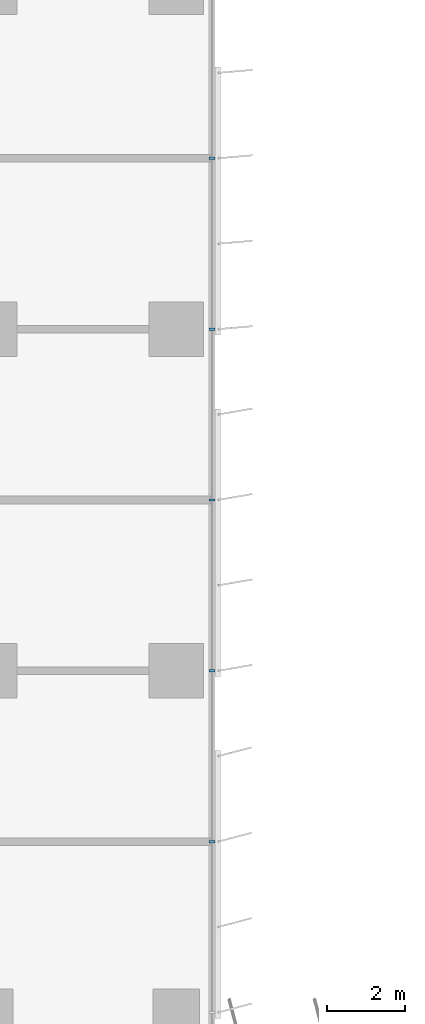
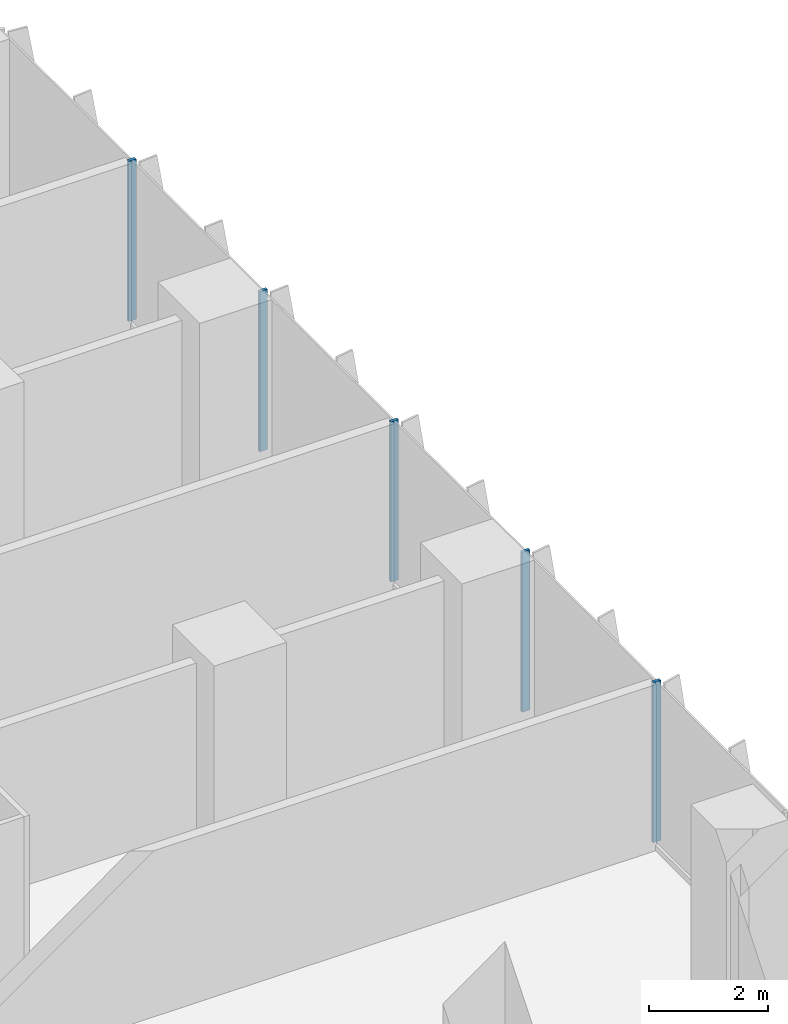
# One storey, part 5 of 24: 5 members, 1 element without a shape of its own.
"""IFC4 building model written with IfcOpenShell, lengths in metres."""

from ifc_helpers import new_model, si_unit, direction, frame, origin, origin_2d, place, context, subcontext, project, spatial, rectangle, extrude, source, transform, mapped, material, material_profile, profile_set, type_object, element, aggregate, save


model = new_model("IFC4")

# Units and contexts
model_context = context("Model", 3, precision=1e-05, world=origin(), true_north=direction((0.0, 1.0)))
body_context = subcontext(model_context, "Body", "Model", "MODEL_VIEW")
ifc_project = project(units=[si_unit("LENGTHUNIT", "METRE"), si_unit("AREAUNIT", "SQUARE_METRE"), si_unit("VOLUMEUNIT", "CUBIC_METRE"), si_unit("PLANEANGLEUNIT", "RADIAN"), si_unit("MASSUNIT", "GRAM", prefix="KILO")], contexts=[model_context])

# Site, building, storey
site_placement = place(None, origin())
site = spatial("IfcSite", under=ifc_project, at=site_placement, CompositionType="ELEMENT")
building_placement = place(site_placement, origin())
building = spatial("IfcBuilding", under=site, at=building_placement, Name="Kemantara Hotel Tower", CompositionType="ELEMENT")
storey_placement = place(building_placement, frame((0.0, 0.0, 59.89990234375)))
storey = spatial("IfcBuildingStorey", under=building, at=storey_placement, Name="L13", CompositionType="ELEMENT", Elevation=59.89990234375)

# Curtain wall, members
ifc_material_1 = material(Name="Low-E tinted double insulated glass 36 mm", Category="glass")
curtain_wall_type = type_object("IfcCurtainWallType", Name="TOWER CURTAIN WALL, FRONT FACES", PredefinedType="USERDEFINED", material=ifc_material_1)
curtain_wall_placement = place(storey_placement, origin())
curtain_wall = element("IfcCurtainWall", 1, at=curtain_wall_placement, inside=storey, type_object=curtain_wall_type, Name="CW4 L13 T1-R08-1", ObjectType="TOWER CURTAIN WALL, FRONT FACES", PredefinedType="USERDEFINED")
ifc_material_2 = material(Name="Aluminium 6063-T6 bronze anodised", Category="aluminium")
ifc_material_profile = material_profile(ifc_material_2, rectangle(XDim=0.14990234375, YDim=0.06005859375, at=origin_2d()), Name="TOWER CURTAIN WALL, FRONT FACES MULLION")
ifc_profile_set = profile_set([ifc_material_profile], Name="Aluminium 6063-T6 bronze anodised")
member_type = type_object("IfcMemberType", Name="TOWER CURTAIN WALL, FRONT FACES MULLION", PredefinedType="MULLION", material=ifc_profile_set)
shared_shape = source(origin(), body_context, "Body", "SweptSolid", [
    extrude(rectangle(XDim=0.14990234375, YDim=0.06005859375, at=origin_2d()), origin(), (0.0, 0.0, 1.0), 3.280029296875),
])
member_1_placement = place(storey_placement, frame((26.72509765625, 31.800048828125, 0.1201171875), z_axis=(0.0, 0.0, 1.0), x_axis=(-1.0, 0.0, 0.0)))
member_1 = element("IfcMember", 2, at=member_1_placement, type_object=member_type, Name="CW4 mullion T1-R08-1.3", PredefinedType="MULLION", context=body_context, shape_type="MappedRepresentation", body=[
    mapped(shared_shape, transform((0.0, 0.0, 0.0))),
])
member_2_placement = place(storey_placement, frame((26.72509765625, 36.199951171875, 0.1201171875), z_axis=(0.0, 0.0, 1.0), x_axis=(-1.0, 0.0, 0.0)))
member_2 = element("IfcMember", 3, at=member_2_placement, type_object=member_type, Name="CW4 mullion T1-R08-1.4", PredefinedType="MULLION", context=body_context, shape_type="MappedRepresentation", body=[
    mapped(shared_shape, transform((0.0, 0.0, 0.0))),
])
member_3_placement = place(storey_placement, frame((26.72509765625, 40.60009765625, 0.1201171875), z_axis=(0.0, 0.0, 1.0), x_axis=(-1.0, 0.0, 0.0)))
member_3 = element("IfcMember", 4, at=member_3_placement, type_object=member_type, Name="CW4 mullion T1-R08-1.5", PredefinedType="MULLION", context=body_context, shape_type="MappedRepresentation", body=[
    mapped(shared_shape, transform((0.0, 0.0, 0.0))),
])
member_4_placement = place(storey_placement, frame((26.72509765625, 45.0, 0.1201171875), z_axis=(0.0, 0.0, 1.0), x_axis=(-1.0, 0.0, 0.0)))
member_4 = element("IfcMember", 5, at=member_4_placement, type_object=member_type, Name="CW4 mullion T1-R08-1.6", PredefinedType="MULLION", context=body_context, shape_type="MappedRepresentation", body=[
    mapped(shared_shape, transform((0.0, 0.0, 0.0))),
])
member_5_placement = place(storey_placement, frame((26.72509765625, 49.39990234375, 0.1201171875), z_axis=(0.0, 0.0, 1.0), x_axis=(-1.0, 0.0, 0.0)))
member_5 = element("IfcMember", 6, at=member_5_placement, type_object=member_type, Name="CW4 mullion T1-R08-1.7", PredefinedType="MULLION", context=body_context, shape_type="MappedRepresentation", body=[
    mapped(shared_shape, transform((0.0, 0.0, 0.0))),
])
aggregate(curtain_wall, [member_1, member_2, member_3, member_4, member_5])

save(model, "model.ifc")
